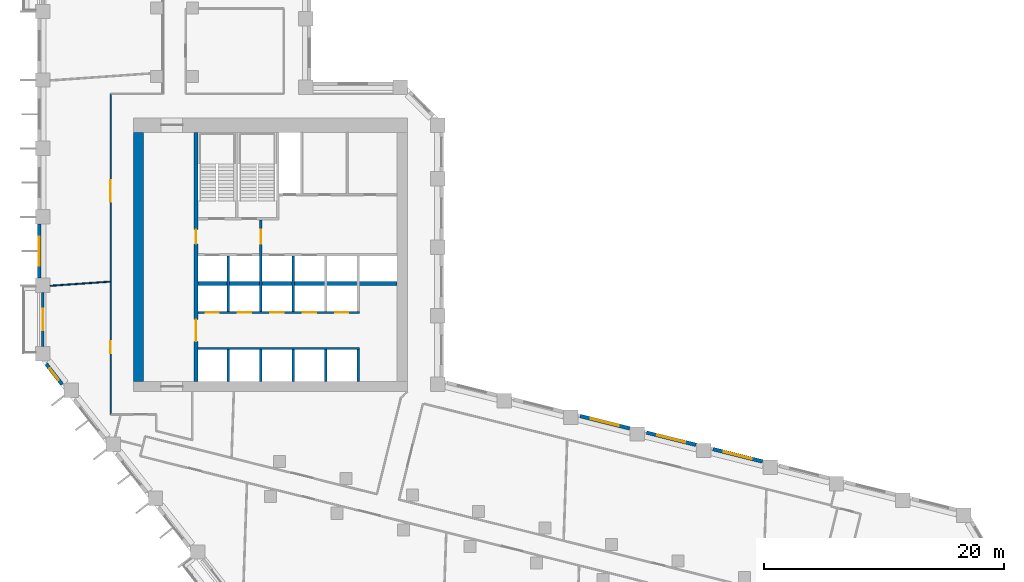
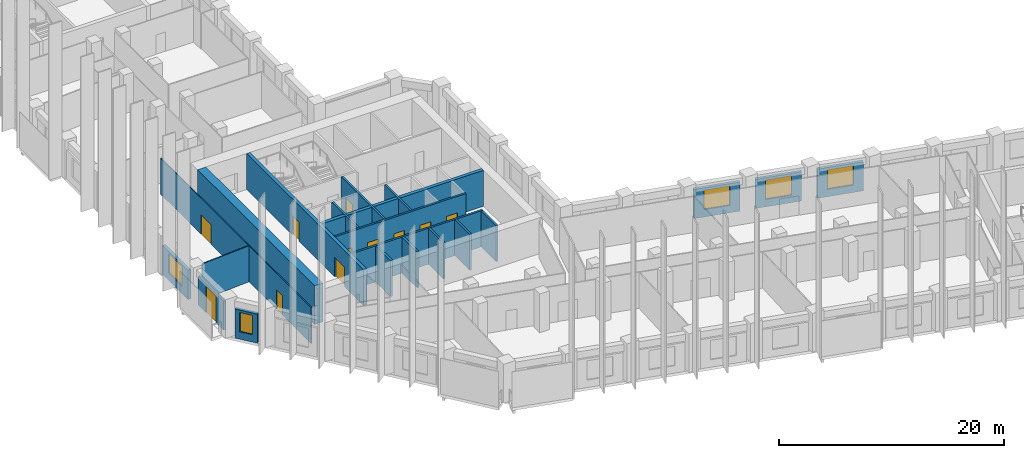
# One storey, part 4 of 10: 21 walls, 11 doors, 5 windows, 16 openings.
"""IFC4 building model written with IfcOpenShell, lengths in metres."""

from ifc_helpers import new_model, si_unit, direction, frame, frame_2d, origin, place, context, subcontext, project, spatial, rectangle, extrude, material, layer, layer_set, type_object, element, fill, save


model = new_model("IFC4")

# Units and contexts
model_context = context("Model", 3, precision=1e-05, world=origin(), true_north=direction((0.0, 1.0)))
body_context = subcontext(model_context, "Body", "Model", "MODEL_VIEW")
ifc_project = project(units=[si_unit("LENGTHUNIT", "METRE"), si_unit("AREAUNIT", "SQUARE_METRE"), si_unit("VOLUMEUNIT", "CUBIC_METRE"), si_unit("PLANEANGLEUNIT", "RADIAN"), si_unit("MASSUNIT", "GRAM", prefix="KILO")], contexts=[model_context])

# Site, building, storey
site_placement = place(None, origin())
site = spatial("IfcSite", under=ifc_project, at=site_placement, CompositionType="ELEMENT")
building_placement = place(site_placement, origin())
building = spatial("IfcBuilding", under=site, at=building_placement, Name="Meshkara Civic Tower", CompositionType="ELEMENT")
storey_placement = place(building_placement, frame((0.0, 0.0, 161.39990234375)))
storey = spatial("IfcBuildingStorey", under=building, at=storey_placement, Name="L36", CompositionType="ELEMENT", Elevation=161.39990234375)

# Walls
ifc_material_1 = material(Name="Concrete C70", Category="concrete")
ifc_layer_1 = layer(ifc_material_1, 0.85009765625)
ifc_layer_set_1 = layer_set([ifc_layer_1], Name="Core ring wall 850 C70")
wall_type_1 = type_object("IfcWallType", Name="Core ring wall 850 C70", PredefinedType="SHEAR", material=ifc_layer_set_1)
wall_1_placement = place(storey_placement, frame((8.425048828125, 14.949951171875, -0.2998046875), z_axis=(0.0, 0.0, 1.0), x_axis=(0.0, 1.0, 0.0)))
element("IfcWall", 1, at=wall_1_placement, inside=storey, type_object=wall_type_1, Name="L36-C003", PredefinedType="SHEAR", context=body_context, shape_type="SweptSolid", body=[
    extrude(rectangle(XDim=20.75, YDim=0.85009765625, at=frame_2d((10.375, 0.0))), origin(), (0.0, 0.0, 1.0), 4.199951171875),
])
ifc_material_2 = material(Name="Concrete C70", Category="concrete")
ifc_layer_2 = layer(ifc_material_2, 0.340087890625)
ifc_layer_set_2 = layer_set([ifc_layer_2], Name="Core shear wall 340 C70")
wall_type_2 = type_object("IfcWallType", Name="Core shear wall 340 C70", PredefinedType="SHEAR", material=ifc_layer_set_2)
wall_2_placement = place(storey_placement, frame((13.3701171875, 23.10009765625, 0.0), z_axis=(0.0, 0.0, 1.0), x_axis=(1.0, 0.0, 0.0)))
element("IfcWall", 2, at=wall_2_placement, inside=storey, type_object=wall_type_2, Name="L36-C007", PredefinedType="SHEAR", context=body_context, shape_type="SweptSolid", body=[
    extrude(rectangle(XDim=16.579833984375, YDim=0.340087890625, at=frame_2d((8.2900390625, 0.0))), origin(), (0.0, 0.0, 1.0), 3.900146484375),
])

# Wall, openings, doors
wall_3_placement = place(storey_placement, frame((13.199951171875, 14.949951171875, 0.0), z_axis=(0.0, 0.0, 1.0), x_axis=(0.0, 1.0, 0.0)))
wall_3 = element("IfcWall", 3, at=wall_3_placement, inside=storey, type_object=wall_type_2, Name="L36-C011", PredefinedType="SHEAR", context=body_context, shape_type="SweptSolid", body=[
    extrude(rectangle(XDim=20.75, YDim=0.340087890625, at=frame_2d((10.375, 0.0))), origin(), (0.0, 0.0, 1.0), 3.900146484375),
])
opening_1_placement = place(wall_3_placement, frame((3.35009765625, 0.0, 0.0)))
opening_1 = element("IfcOpeningElement", 4, at=opening_1_placement, cuts=wall_3, Name="Opening L36-K015", PredefinedType="OPENING", context=body_context, shape_type="SweptSolid", body=[
    extrude(rectangle(XDim=1.800048828125, YDim=2.10009765625, at=frame_2d((0.89990234375, 1.050048828125))), frame((0.0, 0.179931640625, 0.0), z_axis=(0.0, -1.0, 0.0), x_axis=(1.0, 0.0, 0.0)), (0.0, 0.0, 1.0), 0.360107421875),
])
opening_2_placement = place(wall_3_placement, frame((11.449951171875, 0.0, 0.0)))
opening_2 = element("IfcOpeningElement", 5, at=opening_2_placement, cuts=wall_3, Name="Opening L36-K016", PredefinedType="OPENING", context=body_context, shape_type="SweptSolid", body=[
    extrude(rectangle(XDim=1.199951171875, YDim=2.10009765625, at=frame_2d((0.60009765625, 1.050048828125))), frame((0.0, 0.179931640625, 0.0), z_axis=(0.0, -1.0, 0.0), x_axis=(1.0, 0.0, 0.0)), (0.0, 0.0, 1.0), 0.360107421875),
])
ifc_material_3 = material(Name="Fire-rated door leaf in steel frame", Category="steel")
door_type_1 = type_object("IfcDoorType", Name="Core double door 1800 EI 60", OperationType="DOUBLE_DOOR_SINGLE_SWING", PredefinedType="DOOR", material=ifc_material_3)
door_1_placement = place(opening_1_placement, origin())
door_1 = element("IfcDoor", 6, at=door_1_placement, inside=storey, type_object=door_type_1, Name="L36-K015", OperationType="DOUBLE_DOOR_SINGLE_SWING", OverallHeight=2.10009765625, OverallWidth=1.800048828125, PredefinedType="DOOR", context=body_context, shape_type="SweptSolid", body=[
    extrude(rectangle(XDim=1.800048828125, YDim=2.10009765625, at=frame_2d((0.89990234375, 1.050048828125))), frame((0.0, 0.02490234375, 0.0), z_axis=(0.0, -1.0, 0.0), x_axis=(1.0, 0.0, 0.0)), (0.0, 0.0, 1.0), 0.050048828125),
])
fill(opening_1, door_1)
ifc_material_4 = material(Name="Fire-rated door leaf in steel frame", Category="steel")
door_type_2 = type_object("IfcDoorType", Name="Fire-fighting lobby door 1200 EI 120", OperationType="SINGLE_SWING_LEFT", PredefinedType="DOOR", material=ifc_material_4)
door_2_placement = place(opening_2_placement, origin())
door_2 = element("IfcDoor", 7, at=door_2_placement, inside=storey, type_object=door_type_2, Name="L36-K016", OperationType="SINGLE_SWING_LEFT", OverallHeight=2.10009765625, OverallWidth=1.199951171875, PredefinedType="DOOR", context=body_context, shape_type="SweptSolid", body=[
    extrude(rectangle(XDim=1.199951171875, YDim=2.10009765625, at=frame_2d((0.60009765625, 1.050048828125))), frame((0.0, 0.02490234375, 0.0), z_axis=(0.0, -1.0, 0.0), x_axis=(1.0, 0.0, 0.0)), (0.0, 0.0, 1.0), 0.050048828125),
])
fill(opening_2, door_2)

ifc_material_5 = material(Name="Corridor wall 100")
ifc_layer_3 = layer(ifc_material_5, 0.10009765625)
ifc_layer_set_3 = layer_set([ifc_layer_3], Name="Corridor wall 100")
wall_type_3 = type_object("IfcWallType", Name="Corridor wall 100", PredefinedType="PARTITIONING", material=ifc_layer_set_3)
wall_4_placement = place(storey_placement, frame((6.10009765625, 38.89990234375, 0.0), z_axis=(0.0, 0.0, 1.0), x_axis=(0.0, -1.0, 0.0)))
wall_4 = element("IfcWall", 8, at=wall_4_placement, inside=storey, type_object=wall_type_3, Name="L36-W005", PredefinedType="PARTITIONING", context=body_context, shape_type="SweptSolid", body=[
    extrude(rectangle(XDim=26.699951171875, YDim=0.10009765625, at=frame_2d((13.35009765625, 0.0))), origin(), (0.0, 0.0, 1.0), 3.900146484375),
])
opening_3_placement = place(wall_4_placement, frame((20.610107421875, 0.0, 0.0)))
opening_3 = element("IfcOpeningElement", 9, at=opening_3_placement, cuts=wall_4, Name="Opening L36-D014", PredefinedType="OPENING", context=body_context, shape_type="SweptSolid", body=[
    extrude(rectangle(XDim=1.0, YDim=2.10009765625, at=frame_2d((0.5, 1.050048828125))), frame((0.0, 0.06005859375, 0.0), z_axis=(0.0, -1.0, 0.0), x_axis=(1.0, 0.0, 0.0)), (0.0, 0.0, 1.0), 0.1201171875),
])
opening_4_placement = place(wall_4_placement, frame((7.179931640625, 0.0, 0.0)))
opening_4 = element("IfcOpeningElement", 10, at=opening_4_placement, cuts=wall_4, Name="Opening L36-D016", PredefinedType="OPENING", context=body_context, shape_type="SweptSolid", body=[
    extrude(rectangle(XDim=1.800048828125, YDim=2.10009765625, at=frame_2d((0.89990234375, 1.050048828125))), frame((0.0, 0.06005859375, 0.0), z_axis=(0.0, -1.0, 0.0), x_axis=(1.0, 0.0, 0.0)), (0.0, 0.0, 1.0), 0.1201171875),
])
ifc_material_6 = material(Name="Door 1000 x 2100")
door_type_3 = type_object("IfcDoorType", Name="Door 1000 x 2100", OperationType="SINGLE_SWING_LEFT", PredefinedType="DOOR", material=ifc_material_6)
door_3_placement = place(opening_3_placement, origin())
door_3 = element("IfcDoor", 11, at=door_3_placement, inside=storey, type_object=door_type_3, Name="L36-D014", OperationType="SINGLE_SWING_RIGHT", OverallHeight=2.10009765625, OverallWidth=1.0, PredefinedType="DOOR", context=body_context, shape_type="SweptSolid", body=[
    extrude(rectangle(XDim=1.0, YDim=2.10009765625, at=frame_2d((0.5, 1.050048828125))), frame((0.0, 0.02490234375, 0.0), z_axis=(0.0, -1.0, 0.0), x_axis=(1.0, 0.0, 0.0)), (0.0, 0.0, 1.0), 0.050048828125),
])
fill(opening_3, door_3)
ifc_material_7 = material(Name="Door pair 1800 x 2100")
door_type_4 = type_object("IfcDoorType", Name="Door pair 1800 x 2100", OperationType="SINGLE_SWING_LEFT", PredefinedType="DOOR", material=ifc_material_7)
door_4_placement = place(opening_4_placement, origin())
door_4 = element("IfcDoor", 12, at=door_4_placement, inside=storey, type_object=door_type_4, Name="L36-D016", OperationType="DOUBLE_DOOR_SINGLE_SWING", OverallHeight=2.10009765625, OverallWidth=1.800048828125, PredefinedType="DOOR", context=body_context, shape_type="SweptSolid", body=[
    extrude(rectangle(XDim=1.800048828125, YDim=2.10009765625, at=frame_2d((0.89990234375, 1.050048828125))), frame((0.0, 0.02490234375, 0.0), z_axis=(0.0, -1.0, 0.0), x_axis=(1.0, 0.0, 0.0)), (0.0, 0.0, 1.0), 0.050048828125),
])
fill(opening_4, door_4)

# Wall, opening, window
ifc_material_8 = material(Name="Insulated infill panel with bronze anodised aluminium cladding", Category="aluminium")
ifc_layer_4 = layer(ifc_material_8, 0.300048828125)
ifc_layer_set_4 = layer_set([ifc_layer_4], Name="EXTERNAL INFILL WALL 300")
wall_type_4 = type_object("IfcWallType", Name="EXTERNAL INFILL WALL 300", PredefinedType="SOLIDWALL", material=ifc_layer_set_4)
wall_5_placement = place(storey_placement, frame((60.3701171875, 8.291015625, 0.0), z_axis=(0.0, 0.0, 1.0), x_axis=(-0.970291164166, 0.241940192487, 0.0)))
wall_5 = element("IfcWall", 13, at=wall_5_placement, inside=storey, type_object=wall_type_4, Name="External wall", PredefinedType="SOLIDWALL", context=body_context, shape_type="SweptSolid", body=[
    extrude(rectangle(XDim=4.245361328125, YDim=0.300048828125, at=frame_2d((2.12255859375, 0.0))), origin(), (0.0, 0.0, 1.0), 3.150146484375),
])
opening_5_placement = place(wall_5_placement, frame((0.922119140625, 0.0, 0.800048828125)))
opening_5 = element("IfcOpeningElement", 14, at=opening_5_placement, cuts=wall_5, Name="Opening W7", PredefinedType="OPENING", context=body_context, shape_type="SweptSolid", body=[
    extrude(rectangle(XDim=2.39990234375, YDim=2.10009765625, at=frame_2d((1.199951171875, 1.050048828125))), frame((0.0, 0.159912109375, 0.0), z_axis=(0.0, -1.0, 0.0), x_axis=(1.0, 0.0, 0.0)), (0.0, 0.0, 1.0), 0.320068359375),
])
ifc_material_9 = material(Name="Tinted double glazing", Category="glass")
window_type_1 = type_object("IfcWindowType", Name="WINDOW 2400x2100", PartitioningType="DOUBLE_PANEL_VERTICAL", PredefinedType="WINDOW", material=ifc_material_9)
window_1_placement = place(opening_5_placement, origin())
window_1 = element("IfcWindow", 15, at=window_1_placement, inside=storey, type_object=window_type_1, Name="Window", OverallHeight=2.10009765625, OverallWidth=2.39990234375, PartitioningType="DOUBLE_PANEL_VERTICAL", PredefinedType="WINDOW", context=body_context, shape_type="SweptSolid", body=[
    extrude(rectangle(XDim=2.39990234375, YDim=2.10009765625, at=frame_2d((1.199951171875, 1.050048828125))), frame((0.0, 0.030029296875, 0.0), z_axis=(0.0, -1.0, 0.0), x_axis=(1.0, 0.0, 0.0)), (0.0, 0.0, 1.0), 0.06005859375),
])
fill(opening_5, window_1)

wall_6_placement = place(storey_placement, frame((54.840087890625, 9.669921875, 0.0), z_axis=(0.0, 0.0, 1.0), x_axis=(-0.97030462482, 0.241886202691, 0.0)))
wall_6 = element("IfcWall", 16, at=wall_6_placement, inside=storey, type_object=wall_type_4, Name="External wall", PredefinedType="SOLIDWALL", context=body_context, shape_type="SweptSolid", body=[
    extrude(rectangle(XDim=4.24609375, YDim=0.300048828125, at=frame_2d((2.123046875, 0.0))), origin(), (0.0, 0.0, 1.0), 3.150146484375),
])
opening_6_placement = place(wall_6_placement, frame((0.923095703125, 0.0, 0.800048828125)))
opening_6 = element("IfcOpeningElement", 17, at=opening_6_placement, cuts=wall_6, Name="Opening W7", PredefinedType="OPENING", context=body_context, shape_type="SweptSolid", body=[
    extrude(rectangle(XDim=2.39990234375, YDim=2.10009765625, at=frame_2d((1.199951171875, 1.050048828125))), frame((0.0, 0.159912109375, 0.0), z_axis=(0.0, -1.0, 0.0), x_axis=(1.0, 0.0, 0.0)), (0.0, 0.0, 1.0), 0.320068359375),
])
window_2_placement = place(opening_6_placement, origin())
window_2 = element("IfcWindow", 18, at=window_2_placement, inside=storey, type_object=window_type_1, Name="Window", OverallHeight=2.10009765625, OverallWidth=2.39990234375, PartitioningType="DOUBLE_PANEL_VERTICAL", PredefinedType="WINDOW", context=body_context, shape_type="SweptSolid", body=[
    extrude(rectangle(XDim=2.39990234375, YDim=2.10009765625, at=frame_2d((1.199951171875, 1.050048828125))), frame((0.0, 0.030029296875, 0.0), z_axis=(0.0, -1.0, 0.0), x_axis=(1.0, 0.0, 0.0)), (0.0, 0.0, 1.0), 0.06005859375),
])
fill(opening_6, window_2)

wall_7_placement = place(storey_placement, frame((49.30908203125, 11.049072265625, 0.0), z_axis=(0.0, 0.0, 1.0), x_axis=(-0.970264129329, 0.242048588793, 0.0)))
wall_7 = element("IfcWall", 19, at=wall_7_placement, inside=storey, type_object=wall_type_4, Name="External wall", PredefinedType="SOLIDWALL", context=body_context, shape_type="SweptSolid", body=[
    extrude(rectangle(XDim=4.246337890625, YDim=0.300048828125, at=frame_2d((2.123046875, 0.0))), origin(), (0.0, 0.0, 1.0), 3.150146484375),
])
opening_7_placement = place(wall_7_placement, frame((0.923095703125, 0.0, 0.800048828125)))
opening_7 = element("IfcOpeningElement", 20, at=opening_7_placement, cuts=wall_7, Name="Opening W7", PredefinedType="OPENING", context=body_context, shape_type="SweptSolid", body=[
    extrude(rectangle(XDim=2.39990234375, YDim=2.10009765625, at=frame_2d((1.199951171875, 1.050048828125))), frame((0.0, 0.159912109375, 0.0), z_axis=(0.0, -1.0, 0.0), x_axis=(1.0, 0.0, 0.0)), (0.0, 0.0, 1.0), 0.320068359375),
])
window_3_placement = place(opening_7_placement, origin())
window_3 = element("IfcWindow", 21, at=window_3_placement, inside=storey, type_object=window_type_1, Name="Window", OverallHeight=2.10009765625, OverallWidth=2.39990234375, PartitioningType="DOUBLE_PANEL_VERTICAL", PredefinedType="WINDOW", context=body_context, shape_type="SweptSolid", body=[
    extrude(rectangle(XDim=2.39990234375, YDim=2.10009765625, at=frame_2d((1.199951171875, 1.050048828125))), frame((0.0, 0.030029296875, 0.0), z_axis=(0.0, -1.0, 0.0), x_axis=(1.0, 0.0, 0.0)), (0.0, 0.0, 1.0), 0.06005859375),
])
fill(opening_7, window_3)

wall_8_placement = place(storey_placement, frame((0.14990234375, 28.054931640625, 0.0), z_axis=(0.0, 0.0, 1.0), x_axis=(0.0, -1.0, 0.0)))
wall_8 = element("IfcWall", 22, at=wall_8_placement, inside=storey, type_object=wall_type_4, Name="External wall", PredefinedType="SOLIDWALL", context=body_context, shape_type="SweptSolid", body=[
    extrude(rectangle(XDim=4.5, YDim=0.300048828125, at=frame_2d((2.25, 0.0))), origin(), (0.0, 0.0, 1.0), 3.150146484375),
])
opening_8_placement = place(wall_8_placement, frame((1.050048828125, 0.0, 0.800048828125)))
opening_8 = element("IfcOpeningElement", 23, at=opening_8_placement, cuts=wall_8, Name="Opening W7", PredefinedType="OPENING", context=body_context, shape_type="SweptSolid", body=[
    extrude(rectangle(XDim=2.39990234375, YDim=2.10009765625, at=frame_2d((1.199951171875, 1.050048828125))), frame((0.0, 0.159912109375, 0.0), z_axis=(0.0, -1.0, 0.0), x_axis=(1.0, 0.0, 0.0)), (0.0, 0.0, 1.0), 0.320068359375),
])
window_4_placement = place(opening_8_placement, origin())
window_4 = element("IfcWindow", 24, at=window_4_placement, inside=storey, type_object=window_type_1, Name="Window", OverallHeight=2.10009765625, OverallWidth=2.39990234375, PartitioningType="DOUBLE_PANEL_VERTICAL", PredefinedType="WINDOW", context=body_context, shape_type="SweptSolid", body=[
    extrude(rectangle(XDim=2.39990234375, YDim=2.10009765625, at=frame_2d((1.199951171875, 1.050048828125))), frame((0.0, 0.030029296875, 0.0), z_axis=(0.0, -1.0, 0.0), x_axis=(1.0, 0.0, 0.0)), (0.0, 0.0, 1.0), 0.06005859375),
])
fill(opening_8, window_4)

wall_9_placement = place(storey_placement, frame((0.73193359375, 16.406982421875, 0.0), z_axis=(0.0, 0.0, 1.0), x_axis=(0.615593496459, -0.788063859797, 0.0)))
wall_9 = element("IfcWall", 25, at=wall_9_placement, inside=storey, type_object=wall_type_4, Name="External wall", PredefinedType="SOLIDWALL", context=body_context, shape_type="SweptSolid", body=[
    extrude(rectangle(XDim=2.156005859375, YDim=0.300048828125, at=frame_2d((1.078125, 0.0))), origin(), (0.0, 0.0, 1.0), 3.150146484375),
])
opening_9_placement = place(wall_9_placement, frame((0.47802734375, 0.0, 0.800048828125)))
opening_9 = element("IfcOpeningElement", 26, at=opening_9_placement, cuts=wall_9, Name="Opening W3", PredefinedType="OPENING", context=body_context, shape_type="SweptSolid", body=[
    extrude(rectangle(XDim=1.199951171875, YDim=2.10009765625, at=frame_2d((0.60009765625, 1.050048828125))), frame((0.0, 0.159912109375, 0.0), z_axis=(0.0, -1.0, 0.0), x_axis=(1.0, 0.0, 0.0)), (0.0, 0.0, 1.0), 0.320068359375),
])
ifc_material_10 = material(Name="Tinted double glazing", Category="glass")
window_type_2 = type_object("IfcWindowType", Name="WINDOW 1200x2100", PartitioningType="SINGLE_PANEL", PredefinedType="WINDOW", material=ifc_material_10)
window_5_placement = place(opening_9_placement, origin())
window_5 = element("IfcWindow", 27, at=window_5_placement, inside=storey, type_object=window_type_2, Name="Window", OverallHeight=2.10009765625, OverallWidth=1.199951171875, PartitioningType="SINGLE_PANEL", PredefinedType="WINDOW", context=body_context, shape_type="SweptSolid", body=[
    extrude(rectangle(XDim=1.199951171875, YDim=2.10009765625, at=frame_2d((0.60009765625, 1.050048828125))), frame((0.0, 0.030029296875, 0.0), z_axis=(0.0, -1.0, 0.0), x_axis=(1.0, 0.0, 0.0)), (0.0, 0.0, 1.0), 0.06005859375),
])
fill(opening_9, window_5)

# Wall, opening, door
ifc_material_11 = material(Name="Insulated infill panel with bronze anodised aluminium cladding", Category="aluminium")
ifc_layer_5 = layer(ifc_material_11, 0.199951171875)
ifc_layer_set_5 = layer_set([ifc_layer_5], Name="LOGGIA BACK WALL 200")
wall_type_5 = type_object("IfcWallType", Name="LOGGIA BACK WALL 200", PredefinedType="SOLIDWALL", material=ifc_layer_set_5)
wall_10_placement = place(storey_placement, frame((0.449951171875, 22.35400390625, 0.0), z_axis=(0.0, 0.0, 1.0), x_axis=(0.0, -1.0, 0.0)))
wall_10 = element("IfcWall", 28, at=wall_10_placement, inside=storey, type_object=wall_type_5, Name="Loggia wall", PredefinedType="SOLIDWALL", context=body_context, shape_type="SweptSolid", body=[
    extrude(rectangle(XDim=4.4990234375, YDim=0.199951171875, at=frame_2d((2.24951171875, 0.0))), origin(), (0.0, 0.0, 1.0), 3.150146484375),
])
opening_10_placement = place(wall_10_placement, frame((1.34912109375, 0.0, 0.0)))
opening_10 = element("IfcOpeningElement", 29, at=opening_10_placement, cuts=wall_10, Name="Opening L36-L002", PredefinedType="OPENING", context=body_context, shape_type="SweptSolid", body=[
    extrude(rectangle(XDim=1.800048828125, YDim=2.89990234375, at=frame_2d((0.89990234375, 1.449951171875))), frame((0.0, 0.10986328125, 0.0), z_axis=(0.0, -1.0, 0.0), x_axis=(1.0, 0.0, 0.0)), (0.0, 0.0, 1.0), 0.219970703125),
])
ifc_material_12 = material(Name="Tinted double glazing", Category="glass")
door_type_5 = type_object("IfcDoorType", Name="LOGGIA DOOR 1800x2900", OperationType="DOUBLE_DOOR_SINGLE_SWING", PredefinedType="DOOR", material=ifc_material_12)
door_5_placement = place(opening_10_placement, origin())
door_5 = element("IfcDoor", 30, at=door_5_placement, inside=storey, type_object=door_type_5, Name="L36-L002", OperationType="DOUBLE_DOOR_SINGLE_SWING", OverallHeight=2.89990234375, OverallWidth=1.800048828125, PredefinedType="DOOR", context=body_context, shape_type="SweptSolid", body=[
    extrude(rectangle(XDim=1.800048828125, YDim=2.89990234375, at=frame_2d((0.89990234375, 1.449951171875))), frame((0.0, 0.02490234375, 0.0), z_axis=(0.0, -1.0, 0.0), x_axis=(1.0, 0.0, 0.0)), (0.0, 0.0, 1.0), 0.050048828125),
])
fill(opening_10, door_5)

# Walls
ifc_material_13 = material(Name="Partition 100")
ifc_layer_6 = layer(ifc_material_13, 0.10009765625)
ifc_layer_set_6 = layer_set([ifc_layer_6], Name="Partition 100")
wall_type_6 = type_object("IfcWallType", Name="Partition 100", PredefinedType="PARTITIONING", material=ifc_layer_set_6)
wall_11_placement = place(storey_placement, frame((6.047119140625, 23.26611328125, 0.0), z_axis=(0.0, 0.0, 1.0), x_axis=(-0.99755475556, -0.069889267123, 0.0)))
element("IfcWall", 31, at=wall_11_placement, inside=storey, type_object=wall_type_6, Name="L36-W041", PredefinedType="PARTITIONING", context=body_context, shape_type="SweptSolid", body=[
    extrude(rectangle(XDim=5.00927734375, YDim=0.10009765625, at=frame_2d((2.504638671875, 0.0))), origin(), (0.0, 0.0, 1.0), 3.900146484375),
])
ifc_material_14 = material(Name="Concrete C40/50", Category="concrete")
ifc_layer_7 = layer(ifc_material_14, 0.199951171875)
ifc_layer_set_7 = layer_set([ifc_layer_7], Name="Shaft wall 200 C40/50")
wall_type_7 = type_object("IfcWallType", Name="Shaft wall 200 C40/50", PredefinedType="SOLIDWALL", material=ifc_layer_set_7)
wall_12_placement = place(storey_placement, frame((13.3701171875, 17.699951171875, 0.0), z_axis=(0.0, 0.0, 1.0), x_axis=(1.0, 0.0, 0.0)))
element("IfcWall", 32, at=wall_12_placement, inside=storey, type_object=wall_type_7, Name="L36-C005", PredefinedType="SOLIDWALL", context=body_context, shape_type="SweptSolid", body=[
    extrude(rectangle(XDim=13.429931640625, YDim=0.199951171875, at=frame_2d((6.71484375, 0.0))), origin(), (0.0, 0.0, 1.0), 3.900146484375),
])

# Wall, openings, doors
wall_13_placement = place(storey_placement, frame((13.3701171875, 20.699951171875, 0.0), z_axis=(0.0, 0.0, 1.0), x_axis=(1.0, 0.0, 0.0)))
wall_13 = element("IfcWall", 33, at=wall_13_placement, inside=storey, type_object=wall_type_7, Name="L36-C006", PredefinedType="SOLIDWALL", context=body_context, shape_type="SweptSolid", body=[
    extrude(rectangle(XDim=13.429931640625, YDim=0.199951171875, at=frame_2d((6.71484375, 0.0))), origin(), (0.0, 0.0, 1.0), 3.900146484375),
])
opening_11_placement = place(wall_13_placement, frame((0.6298828125, 0.0, 0.0)))
opening_11 = element("IfcOpeningElement", 34, at=opening_11_placement, cuts=wall_13, Name="Opening L36-K001", PredefinedType="OPENING", context=body_context, shape_type="SweptSolid", body=[
    extrude(rectangle(XDim=1.10009765625, YDim=2.10009765625, at=frame_2d((0.550048828125, 1.050048828125))), frame((0.0, 0.10986328125, 0.0), z_axis=(0.0, -1.0, 0.0), x_axis=(1.0, 0.0, 0.0)), (0.0, 0.0, 1.0), 0.219970703125),
])
opening_12_placement = place(wall_13_placement, frame((3.330078125, 0.0, 0.0)))
opening_12 = element("IfcOpeningElement", 35, at=opening_12_placement, cuts=wall_13, Name="Opening L36-K002", PredefinedType="OPENING", context=body_context, shape_type="SweptSolid", body=[
    extrude(rectangle(XDim=1.10009765625, YDim=2.10009765625, at=frame_2d((0.550048828125, 1.050048828125))), frame((0.0, 0.10986328125, 0.0), z_axis=(0.0, -1.0, 0.0), x_axis=(1.0, 0.0, 0.0)), (0.0, 0.0, 1.0), 0.219970703125),
])
opening_13_placement = place(wall_13_placement, frame((6.030029296875, 0.0, 0.0)))
opening_13 = element("IfcOpeningElement", 36, at=opening_13_placement, cuts=wall_13, Name="Opening L36-K003", PredefinedType="OPENING", context=body_context, shape_type="SweptSolid", body=[
    extrude(rectangle(XDim=1.10009765625, YDim=2.10009765625, at=frame_2d((0.550048828125, 1.050048828125))), frame((0.0, 0.10986328125, 0.0), z_axis=(0.0, -1.0, 0.0), x_axis=(1.0, 0.0, 0.0)), (0.0, 0.0, 1.0), 0.219970703125),
])
opening_14_placement = place(wall_13_placement, frame((8.72998046875, 0.0, 0.0)))
opening_14 = element("IfcOpeningElement", 37, at=opening_14_placement, cuts=wall_13, Name="Opening L36-K004", PredefinedType="OPENING", context=body_context, shape_type="SweptSolid", body=[
    extrude(rectangle(XDim=1.10009765625, YDim=2.10009765625, at=frame_2d((0.550048828125, 1.050048828125))), frame((0.0, 0.10986328125, 0.0), z_axis=(0.0, -1.0, 0.0), x_axis=(1.0, 0.0, 0.0)), (0.0, 0.0, 1.0), 0.219970703125),
])
opening_15_placement = place(wall_13_placement, frame((11.429931640625, 0.0, 0.0)))
opening_15 = element("IfcOpeningElement", 38, at=opening_15_placement, cuts=wall_13, Name="Opening L36-K005", PredefinedType="OPENING", context=body_context, shape_type="SweptSolid", body=[
    extrude(rectangle(XDim=1.10009765625, YDim=2.10009765625, at=frame_2d((0.550048828125, 1.050048828125))), frame((0.0, 0.10986328125, 0.0), z_axis=(0.0, -1.0, 0.0), x_axis=(1.0, 0.0, 0.0)), (0.0, 0.0, 1.0), 0.219970703125),
])
ifc_material_15 = material(Name="Stainless steel landing door", Category="steel")
door_type_6 = type_object("IfcDoorType", Name="Lift landing door 1100", OperationType="SLIDING_TO_LEFT", PredefinedType="DOOR", material=ifc_material_15)
door_6_placement = place(opening_11_placement, origin())
door_6 = element("IfcDoor", 39, at=door_6_placement, inside=storey, type_object=door_type_6, Name="L36-K001", OperationType="SLIDING_TO_LEFT", OverallHeight=2.10009765625, OverallWidth=1.10009765625, PredefinedType="DOOR", context=body_context, shape_type="SweptSolid", body=[
    extrude(rectangle(XDim=1.10009765625, YDim=2.10009765625, at=frame_2d((0.550048828125, 1.050048828125))), frame((0.0, 0.02490234375, 0.0), z_axis=(0.0, -1.0, 0.0), x_axis=(1.0, 0.0, 0.0)), (0.0, 0.0, 1.0), 0.050048828125),
])
fill(opening_11, door_6)
door_7_placement = place(opening_12_placement, origin())
door_7 = element("IfcDoor", 40, at=door_7_placement, inside=storey, type_object=door_type_6, Name="L36-K002", OperationType="SLIDING_TO_LEFT", OverallHeight=2.10009765625, OverallWidth=1.10009765625, PredefinedType="DOOR", context=body_context, shape_type="SweptSolid", body=[
    extrude(rectangle(XDim=1.10009765625, YDim=2.10009765625, at=frame_2d((0.550048828125, 1.050048828125))), frame((0.0, 0.02490234375, 0.0), z_axis=(0.0, -1.0, 0.0), x_axis=(1.0, 0.0, 0.0)), (0.0, 0.0, 1.0), 0.050048828125),
])
fill(opening_12, door_7)
door_8_placement = place(opening_13_placement, origin())
door_8 = element("IfcDoor", 41, at=door_8_placement, inside=storey, type_object=door_type_6, Name="L36-K003", OperationType="SLIDING_TO_LEFT", OverallHeight=2.10009765625, OverallWidth=1.10009765625, PredefinedType="DOOR", context=body_context, shape_type="SweptSolid", body=[
    extrude(rectangle(XDim=1.10009765625, YDim=2.10009765625, at=frame_2d((0.550048828125, 1.050048828125))), frame((0.0, 0.02490234375, 0.0), z_axis=(0.0, -1.0, 0.0), x_axis=(1.0, 0.0, 0.0)), (0.0, 0.0, 1.0), 0.050048828125),
])
fill(opening_13, door_8)
door_9_placement = place(opening_14_placement, origin())
door_9 = element("IfcDoor", 42, at=door_9_placement, inside=storey, type_object=door_type_6, Name="L36-K004", OperationType="SLIDING_TO_LEFT", OverallHeight=2.10009765625, OverallWidth=1.10009765625, PredefinedType="DOOR", context=body_context, shape_type="SweptSolid", body=[
    extrude(rectangle(XDim=1.10009765625, YDim=2.10009765625, at=frame_2d((0.550048828125, 1.050048828125))), frame((0.0, 0.02490234375, 0.0), z_axis=(0.0, -1.0, 0.0), x_axis=(1.0, 0.0, 0.0)), (0.0, 0.0, 1.0), 0.050048828125),
])
fill(opening_14, door_9)
door_10_placement = place(opening_15_placement, origin())
door_10 = element("IfcDoor", 43, at=door_10_placement, inside=storey, type_object=door_type_6, Name="L36-K005", OperationType="SLIDING_TO_LEFT", OverallHeight=2.10009765625, OverallWidth=1.10009765625, PredefinedType="DOOR", context=body_context, shape_type="SweptSolid", body=[
    extrude(rectangle(XDim=1.10009765625, YDim=2.10009765625, at=frame_2d((0.550048828125, 1.050048828125))), frame((0.0, 0.02490234375, 0.0), z_axis=(0.0, -1.0, 0.0), x_axis=(1.0, 0.0, 0.0)), (0.0, 0.0, 1.0), 0.050048828125),
])
fill(opening_15, door_10)

# Walls
wall_14_placement = place(storey_placement, frame((15.89990234375, 14.949951171875, 0.0), z_axis=(0.0, 0.0, 1.0), x_axis=(0.0, 1.0, 0.0)))
element("IfcWall", 44, at=wall_14_placement, inside=storey, type_object=wall_type_7, Name="L36-C012", PredefinedType="SOLIDWALL", context=body_context, shape_type="SweptSolid", body=[
    extrude(rectangle(XDim=2.650146484375, YDim=0.199951171875, at=frame_2d((1.3251953125, 0.0))), origin(), (0.0, 0.0, 1.0), 3.900146484375),
])
wall_15_placement = place(storey_placement, frame((15.89990234375, 20.800048828125, 0.0), z_axis=(0.0, 0.0, 1.0), x_axis=(0.0, 1.0, 0.0)))
element("IfcWall", 45, at=wall_15_placement, inside=storey, type_object=wall_type_7, Name="L36-C013", PredefinedType="SOLIDWALL", context=body_context, shape_type="SweptSolid", body=[
    extrude(rectangle(XDim=4.599853515625, YDim=0.199951171875, at=frame_2d((2.2998046875, 0.0))), origin(), (0.0, 0.0, 1.0), 3.900146484375),
])
wall_16_placement = place(storey_placement, frame((18.60009765625, 14.949951171875, 0.0), z_axis=(0.0, 0.0, 1.0), x_axis=(0.0, 1.0, 0.0)))
element("IfcWall", 46, at=wall_16_placement, inside=storey, type_object=wall_type_7, Name="L36-C015", PredefinedType="SOLIDWALL", context=body_context, shape_type="SweptSolid", body=[
    extrude(rectangle(XDim=2.650146484375, YDim=0.199951171875, at=frame_2d((1.3251953125, 0.0))), origin(), (0.0, 0.0, 1.0), 3.900146484375),
])

# Wall, opening, door
wall_17_placement = place(storey_placement, frame((18.60009765625, 20.800048828125, 0.0), z_axis=(0.0, 0.0, 1.0), x_axis=(0.0, 1.0, 0.0)))
wall_17 = element("IfcWall", 47, at=wall_17_placement, inside=storey, type_object=wall_type_7, Name="L36-C016", PredefinedType="SOLIDWALL", context=body_context, shape_type="SweptSolid", body=[
    extrude(rectangle(XDim=7.599853515625, YDim=0.199951171875, at=frame_2d((3.7998046875, 0.0))), origin(), (0.0, 0.0, 1.0), 3.900146484375),
])
opening_16_placement = place(wall_17_placement, frame((5.60009765625, 0.0, 0.0)))
opening_16 = element("IfcOpeningElement", 48, at=opening_16_placement, cuts=wall_17, Name="Opening L36-K017", PredefinedType="OPENING", context=body_context, shape_type="SweptSolid", body=[
    extrude(rectangle(XDim=1.199951171875, YDim=2.10009765625, at=frame_2d((0.60009765625, 1.050048828125))), frame((0.0, 0.10986328125, 0.0), z_axis=(0.0, -1.0, 0.0), x_axis=(1.0, 0.0, 0.0)), (0.0, 0.0, 1.0), 0.219970703125),
])
door_11_placement = place(opening_16_placement, origin())
door_11 = element("IfcDoor", 49, at=door_11_placement, inside=storey, type_object=door_type_2, Name="L36-K017", OperationType="SINGLE_SWING_RIGHT", OverallHeight=2.10009765625, OverallWidth=1.199951171875, PredefinedType="DOOR", context=body_context, shape_type="SweptSolid", body=[
    extrude(rectangle(XDim=1.199951171875, YDim=2.10009765625, at=frame_2d((0.60009765625, 1.050048828125))), frame((0.0, 0.02490234375, 0.0), z_axis=(0.0, -1.0, 0.0), x_axis=(1.0, 0.0, 0.0)), (0.0, 0.0, 1.0), 0.050048828125),
])
fill(opening_16, door_11)

# Walls
wall_18_placement = place(storey_placement, frame((21.300048828125, 14.949951171875, 0.0), z_axis=(0.0, 0.0, 1.0), x_axis=(0.0, 1.0, 0.0)))
element("IfcWall", 50, at=wall_18_placement, inside=storey, type_object=wall_type_7, Name="L36-C018", PredefinedType="SOLIDWALL", context=body_context, shape_type="SweptSolid", body=[
    extrude(rectangle(XDim=2.650146484375, YDim=0.199951171875, at=frame_2d((1.3251953125, 0.0))), origin(), (0.0, 0.0, 1.0), 3.900146484375),
])
wall_19_placement = place(storey_placement, frame((21.300048828125, 20.800048828125, 0.0), z_axis=(0.0, 0.0, 1.0), x_axis=(0.0, 1.0, 0.0)))
element("IfcWall", 51, at=wall_19_placement, inside=storey, type_object=wall_type_7, Name="L36-C019", PredefinedType="SOLIDWALL", context=body_context, shape_type="SweptSolid", body=[
    extrude(rectangle(XDim=4.599853515625, YDim=0.199951171875, at=frame_2d((2.2998046875, 0.0))), origin(), (0.0, 0.0, 1.0), 3.900146484375),
])
for number, where, z_axis, x_axis, name in (
    (52, (24.0, 14.949951171875, 0.0), (0.0, 0.0, 1.0), (0.0, 1.0, 0.0), "L36-C021"),
    (53, (26.699951171875, 14.949951171875, 0.0), (0.0, 0.0, 1.0), (0.0, 1.0, 0.0), "L36-C024"),
):
    element("IfcWall", number, at=place(storey_placement, frame(where, z_axis=z_axis, x_axis=x_axis)), inside=storey, type_object=wall_type_7, Name=name, PredefinedType="SOLIDWALL", context=body_context, shape_type="SweptSolid", body=[
        extrude(rectangle(XDim=2.650146484375, YDim=0.199951171875, at=frame_2d((1.3251953125, 0.0))), origin(), (0.0, 0.0, 1.0), 3.900146484375),
    ])

save(model, "model.ifc")
